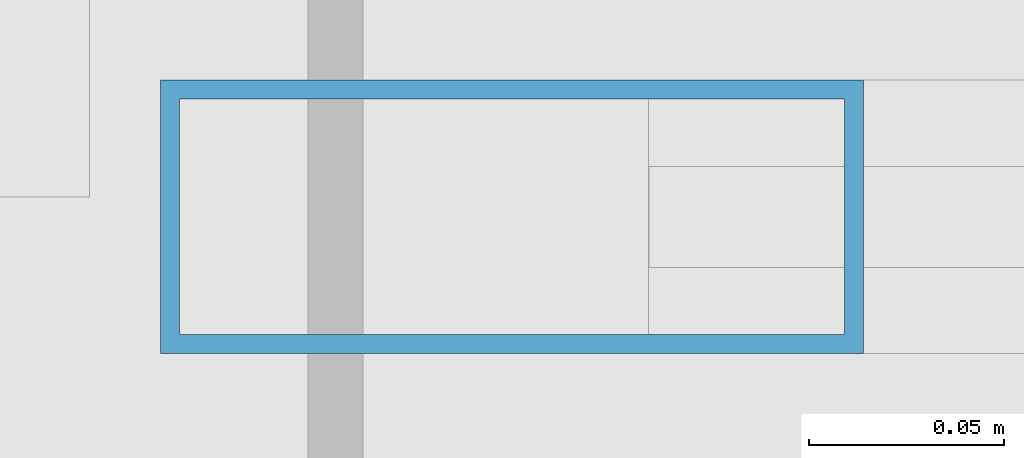
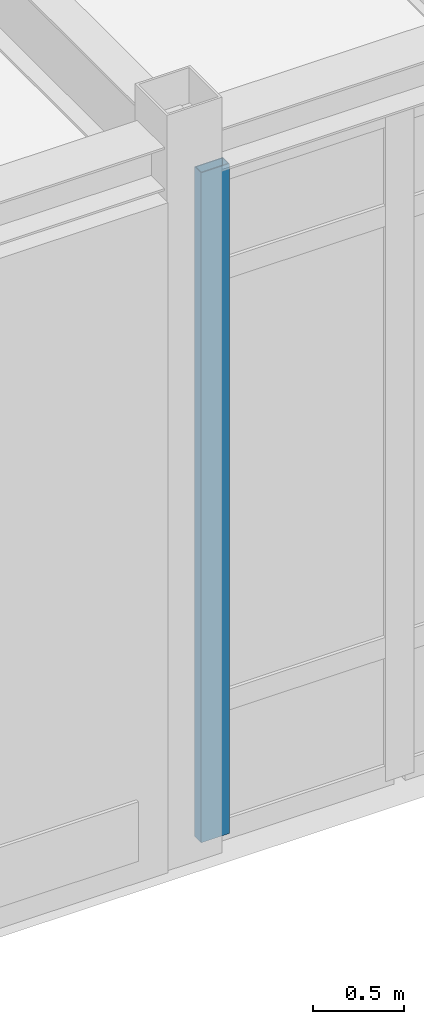
# One storey, part 47 of 109: 1 member, 1 element without a shape of its own.
"""IFC4 building model written with IfcOpenShell, lengths in metres."""

from ifc_helpers import new_model, si_unit, direction, frame, origin, origin_2d, place, context, subcontext, project, spatial, hollow_rectangle, extrude, material, layer, layer_set, material_profile, profile_set, type_object, element, aggregate, save


model = new_model("IFC4")

# Units and contexts
model_context = context("Model", 3, precision=1e-05, world=origin(), true_north=direction((0.0, 1.0)))
body_context = subcontext(model_context, "Body", "Model", "MODEL_VIEW")
ifc_project = project(units=[si_unit("LENGTHUNIT", "METRE"), si_unit("AREAUNIT", "SQUARE_METRE"), si_unit("VOLUMEUNIT", "CUBIC_METRE"), si_unit("PLANEANGLEUNIT", "RADIAN"), si_unit("MASSUNIT", "GRAM", prefix="KILO")], contexts=[model_context])

# Site, building, storey
site_placement = place(None, origin())
site = spatial("IfcSite", under=ifc_project, at=site_placement, CompositionType="ELEMENT")
building_placement = place(site_placement, origin())
building = spatial("IfcBuilding", under=site, at=building_placement, Name="Montecoro Central Library", CompositionType="ELEMENT")
storey_placement = place(building_placement, origin())
storey = spatial("IfcBuildingStorey", under=building, at=storey_placement, Name="L00", CompositionType="ELEMENT", Elevation=0.0)

# Curtain wall, member
ifc_material_1 = material(Name="Bronze-anodised aluminium and low-E glazing", Category="aluminium")
ifc_layer = layer(ifc_material_1, 0.159912109375)
ifc_layer_set = layer_set([ifc_layer], Name="Bronze-anodised aluminium and low-E glazing")
curtain_wall_type = type_object("IfcCurtainWallType", Name="CWT-038", PredefinedType="NOTDEFINED", material=ifc_layer_set)
curtain_wall_placement = place(storey_placement, origin())
curtain_wall = element("IfcCurtainWall", 1, at=curtain_wall_placement, inside=storey, type_object=curtain_wall_type, Name="V4-L00-CW-S4", PredefinedType="NOTDEFINED")
ifc_material_2 = material(Name="Bronze-anodised aluminium", Category="aluminium")
ifc_material_profile = material_profile(ifc_material_2, hollow_rectangle(XDim=0.070068359375, YDim=0.179931640625, WallThickness=0.0048828125, at=origin_2d()), Name="CWM 180x70x5.0")
ifc_profile_set = profile_set([ifc_material_profile], Name="Bronze-anodised aluminium")
member_type = type_object("IfcMemberType", Name="CWM-BRZ-70", PredefinedType="MULLION", material=ifc_profile_set)
member_placement = place(storey_placement, frame((35.613037109375, 73.39990234375, 0.0), z_axis=(0.0, 0.0, 1.0), x_axis=(0.0, 1.0, 0.0)))
member = element("IfcMember", 2, at=member_placement, type_object=member_type, Name="CW-038 mullion 1", PredefinedType="MULLION", context=body_context, shape_type="SweptSolid", body=[
    extrude(hollow_rectangle(XDim=0.070068359375, YDim=0.179931640625, WallThickness=0.0048828125, at=origin_2d()), origin(), (0.0, 0.0, 1.0), 4.5),
])
aggregate(curtain_wall, [member])

save(model, "model.ifc")
